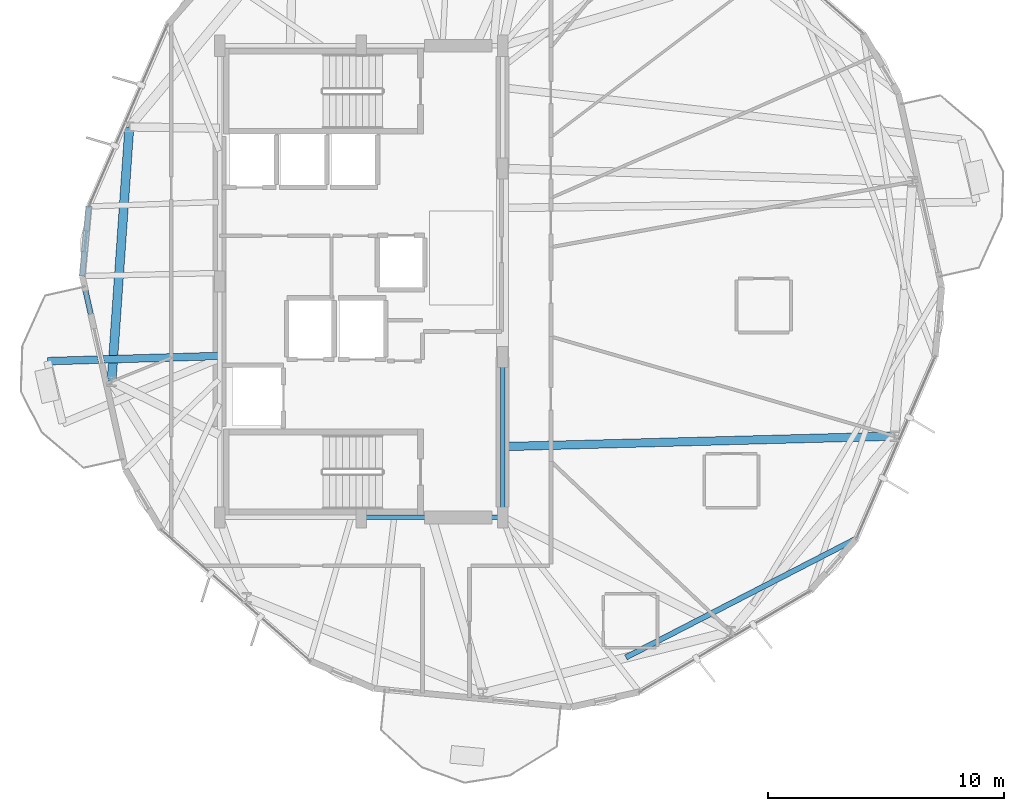
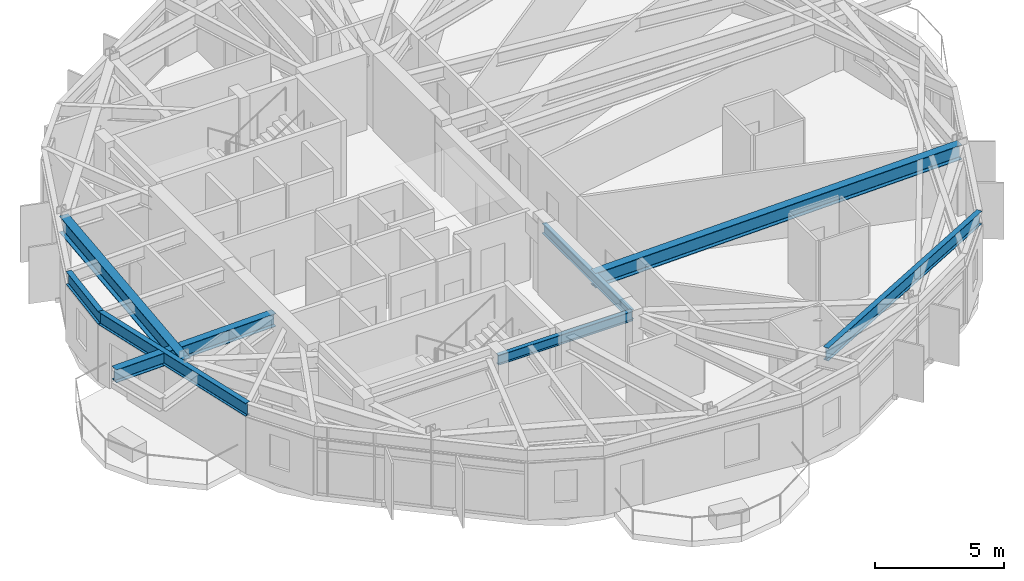
# One storey, part 5 of 21: 8 beams.
"""IFC4 building model written with IfcOpenShell, lengths in metres."""

import ifcopenshell
import ifcopenshell.guid

model = None  # the IFC model being written
_history = None  # IfcOwnerHistory: only IFC2X3 demands one
_inside = {}  # id of a spatial element -> (the spatial element, [elements in it])
_under = {}  # id of a project, library or spatial element -> (it, [spatial elements below it])
_declared = {}  # id of a project -> (the project, [libraries it declares])
_typed = {}  # id of a type object -> (the type object, [elements of that type])
_made_of = {}  # id of a material, layer set ... -> (it, [elements and type objects made of it])


def new_model(schema):
    """Start an empty IFC model of exactly this schema.

    Asked for "IFC4X3", IfcOpenShell would pick the latest addendum, in which some entities
    have other attributes; the version numbers below select the first issue.
    IFC2X3 requires an IfcOwnerHistory on every rooted entity: one is made here for all.
    """
    global model, _history
    if schema == "IFC4X3":
        model = ifcopenshell.file(schema_version=(4, 3, 0, 0))
    else:
        model = ifcopenshell.file(schema=schema)
    _inside.clear()
    _under.clear()
    _declared.clear()
    _typed.clear()
    _made_of.clear()
    _history = None
    if model.schema == "IFC2X3":
        org = make("IfcOrganization", Name="unknown")
        user = make(
            "IfcPersonAndOrganization",
            ThePerson=make("IfcPerson", FamilyName="unknown"),
            TheOrganization=org,
        )
        app = make(
            "IfcApplication",
            ApplicationDeveloper=org,
            Version="unknown",
            ApplicationFullName="unknown",
            ApplicationIdentifier="unknown",
        )
        _history = make(
            "IfcOwnerHistory",
            OwningUser=user,
            OwningApplication=app,
            ChangeAction="ADDED",
            CreationDate=0,
        )
    return model


def make(cls, **values):
    """One entity of the class cls with the attributes given. An attribute that is None is left unset."""
    return model.create_entity(
        cls, **{name: value for name, value in values.items() if value is not None}
    )


def rooted(cls, **values):
    """An entity with a GlobalId (a new one), such as an element, a storey or a relation."""
    return make(cls, GlobalId=ifcopenshell.guid.new(), OwnerHistory=_history, **values)


def si_unit(unit_type, name, prefix=None):
    """IfcSIUnit, for example si_unit("LENGTHUNIT", "METRE", prefix="MILLI")."""
    return make("IfcSIUnit", UnitType=unit_type, Prefix=prefix, Name=name)


def assignment(units):
    """IfcUnitAssignment: the units of a project."""
    return None if units is None else make("IfcUnitAssignment", Units=units)


def point(xyz):
    """IfcCartesianPoint."""
    return None if xyz is None else make("IfcCartesianPoint", Coordinates=xyz)


def direction(xyz):
    """IfcDirection."""
    return None if xyz is None else make("IfcDirection", DirectionRatios=xyz)


def frame(location, z_axis=None, x_axis=None):
    """IfcAxis2Placement3D, a coordinate frame: its origin and axes. An axis left out is left unset."""
    return make(
        "IfcAxis2Placement3D",
        Location=point(location),
        Axis=direction(z_axis),
        RefDirection=direction(x_axis),
    )


def frame_2d(location, x_axis=None):
    """IfcAxis2Placement2D, a coordinate frame in the plane: its origin and x axis."""
    return make(
        "IfcAxis2Placement2D", Location=point(location), RefDirection=direction(x_axis)
    )


def origin():
    """The frame at (0, 0, 0) with its axes left unset."""
    return frame((0.0, 0.0, 0.0))


def origin_2d():
    """The frame at (0, 0) in the plane with its x axis left unset."""
    return frame_2d((0.0, 0.0))


def place(relative_to, where):
    """IfcLocalPlacement: puts the frame where relative to a parent placement (None: the world)."""
    return make(
        "IfcLocalPlacement", PlacementRelTo=relative_to, RelativePlacement=where
    )


def context(
    kind, dimensions, precision=None, world=None, true_north=None, identifier=None
):
    """IfcGeometricRepresentationContext, for example the 3D "Model" context."""
    return make(
        "IfcGeometricRepresentationContext",
        ContextIdentifier=identifier,
        ContextType=kind,
        CoordinateSpaceDimension=dimensions,
        Precision=precision,
        WorldCoordinateSystem=world,
        TrueNorth=true_north,
    )


def subcontext(parent, identifier, kind, view, scale=None):
    """IfcGeometricRepresentationSubContext, for example "Body" below "Model"."""
    return make(
        "IfcGeometricRepresentationSubContext",
        ContextIdentifier=identifier,
        ContextType=kind,
        ParentContext=parent,
        TargetScale=scale,
        TargetView=view,
    )


def project(units=None, contexts=None):
    """IfcProject with its units and contexts."""
    return rooted(
        "IfcProject",
        Name="project",
        RepresentationContexts=contexts,
        UnitsInContext=assignment(units),
    )


def spatial(cls, under=None, at=None, **own):
    """A site, building, storey or space (cls), placed at a placement, below another one or the project."""
    s = rooted(cls, ObjectPlacement=at, **own)
    if under is not None:
        _under.setdefault(under.id(), (under, []))[1].append(s)
    return s


def profile(cls, at=None, kind="AREA", **sizes):
    """A parametric profile (cls). Its sizes go by their IFC names, for example OverallWidth=200.0."""
    return make(cls, ProfileType=kind, Position=at, **sizes)


def i_section(**sizes):
    """IfcIShapeProfileDef."""
    return profile("IfcIShapeProfileDef", **sizes)


def extrude(swept, where, along, depth):
    """IfcExtrudedAreaSolid: the profile swept, set in the frame where, extruded along a direction by depth."""
    return make(
        "IfcExtrudedAreaSolid",
        SweptArea=swept,
        Position=where,
        ExtrudedDirection=direction(along),
        Depth=depth,
    )


def shape(context_of_items, identifier, shape_type, items):
    """IfcShapeRepresentation: the items that make up one representation, for example the "Body"."""
    return make(
        "IfcShapeRepresentation",
        ContextOfItems=context_of_items,
        RepresentationIdentifier=identifier,
        RepresentationType=shape_type,
        Items=items,
    )


def material(Name=None, Category=None):
    """IfcMaterial."""
    return make("IfcMaterial", Name=Name, Category=Category)


def material_profile(
    of_material, cross_section, Name=None, Category=None, Priority=None
):
    """IfcMaterialProfile: a cross section and its material."""
    return make(
        "IfcMaterialProfile",
        Name=Name,
        Material=of_material,
        Profile=cross_section,
        Priority=Priority,
        Category=Category,
    )


def profile_set(profiles, Name=None, composite=None):
    """IfcMaterialProfileSet."""
    return make(
        "IfcMaterialProfileSet",
        Name=Name,
        MaterialProfiles=profiles,
        CompositeProfile=composite,
    )


def made_of(thing, what):
    """Note that an element or type object is made of a material, layer set ...; save() writes the relation."""
    if what is not None:
        _made_of.setdefault(what.id(), (what, []))[1].append(thing)
    return thing


def type_object(cls, material=None, **own):
    """A type object (cls), such as IfcWallType, which elements share."""
    return made_of(rooted(cls, **own), material)


def element(
    cls,
    number,
    at=None,
    inside=None,
    cuts=None,
    type_object=None,
    material=None,
    context=None,
    identifier="Body",
    shape_type=None,
    held_by="IfcProductDefinitionShape",
    body=None,
    shapes=None,
    **own,
):
    """One element of the class cls, such as IfcWall. Its Tag is "e" and its number.

    at: its placement. inside: the storey or other place that contains it. cuts: it is an
    opening in that element (IfcRelVoidsElement). A single representation is given by context,
    identifier, shape_type and body (its items); several are given by shapes. held_by: the class
    of the entity that holds the representations. save() writes the other relations.
    """
    e = rooted(cls, Tag="e%d" % number, ObjectPlacement=at, **own)
    if body is not None:
        shapes = [shape(context, identifier, shape_type, body)]
    if shapes is not None:
        e.Representation = make(held_by, Representations=shapes)
    if inside is not None:
        _inside.setdefault(inside.id(), (inside, []))[1].append(e)
    if cuts is not None:
        rooted(
            "IfcRelVoidsElement", RelatingBuildingElement=cuts, RelatedOpeningElement=e
        )
    if type_object is not None:
        _typed.setdefault(type_object.id(), (type_object, []))[1].append(e)
    return made_of(e, material)


def aggregate(whole, parts):
    """IfcRelAggregates: a whole, such as a stair, and the parts it consists of."""
    return rooted("IfcRelAggregates", RelatingObject=whole, RelatedObjects=parts)


def save(model, path):
    """Write the relations noted so far, then the file.

    IfcRelAggregates (storeys below a building ...), IfcRelContainedInSpatialStructure (elements
    in a storey), IfcRelDefinesByType, IfcRelAssociatesMaterial and IfcRelDeclares: one each for
    every whole, place, type object, material and project.
    """
    for whole, parts in _under.values():
        aggregate(whole, parts)
    for where, things in _inside.values():
        rooted(
            "IfcRelContainedInSpatialStructure",
            RelatedElements=things,
            RelatingStructure=where,
        )
    for kind, things in _typed.values():
        rooted("IfcRelDefinesByType", RelatedObjects=things, RelatingType=kind)
    for what, things in _made_of.values():
        rooted("IfcRelAssociatesMaterial", RelatedObjects=things, RelatingMaterial=what)
    for by, libraries in _declared.values():
        rooted("IfcRelDeclares", RelatingContext=by, RelatedDefinitions=libraries)
    model.write(path)


model = new_model("IFC4")

# Units and contexts
model_context = context("Model", 3, precision=1e-05, world=origin(), true_north=direction((0.0, 1.0)))
body_context = subcontext(model_context, "Body", "Model", "MODEL_VIEW")
ifc_project = project(units=[si_unit("LENGTHUNIT", "METRE"), si_unit("AREAUNIT", "SQUARE_METRE"), si_unit("VOLUMEUNIT", "CUBIC_METRE"), si_unit("PLANEANGLEUNIT", "RADIAN"), si_unit("MASSUNIT", "GRAM", prefix="KILO")], contexts=[model_context])

# Site, building, storey
site_placement = place(None, origin())
site = spatial("IfcSite", under=ifc_project, at=site_placement, CompositionType="ELEMENT")
building_placement = place(site_placement, origin())
building = spatial("IfcBuilding", under=site, at=building_placement, Name="Soratama Intermodal Tower", CompositionType="ELEMENT")
storey_placement = place(building_placement, frame((0.0, 0.0, 146.199951171875)))
storey = spatial("IfcBuildingStorey", under=building, at=storey_placement, Name="L35", CompositionType="ELEMENT", Elevation=146.199951171875)

# Beams
ifc_material_1 = material(Name="Structural steel ASTM A992 Grade 50", Category="steel")
ifc_material_profile_1 = material_profile(ifc_material_1, i_section(OverallWidth=0.324951171875, OverallDepth=0.615966796875, WebThickness=0.013916015625, FlangeThickness=0.021484375, FilletRadius=0.013916015625, at=origin_2d()), Name="W24X117")
ifc_profile_set_1 = profile_set([ifc_material_profile_1], Name="Structural steel ASTM A992 Grade 50")
beam_type_1 = type_object("IfcBeamType", Name="BM-CANT-W24X117", PredefinedType="BEAM", material=ifc_profile_set_1)
beam_1_placement = place(storey_placement, frame((32.56005859375, 21.843017578125, 2.991943359375), z_axis=(-0.999544996563, -0.030162888542, 0.0), x_axis=(0.030162888542, -0.999544996563, 0.0)))
element("IfcBeam", 1, at=beam_1_placement, inside=storey, type_object=beam_type_1, Name="BM-L35-CANT-3-1", PredefinedType="BEAM", context=body_context, shape_type="SweptSolid", body=[
    extrude(i_section(OverallWidth=0.324951171875, OverallDepth=0.615966796875, WebThickness=0.013916015625, FlangeThickness=0.021484375, FilletRadius=0.013916015625, at=origin_2d()), origin(), (0.0, 0.0, 1.0), 7.260498046875),
])
ifc_material_2 = material(Name="Structural steel ASTM A992 Grade 50", Category="steel")
ifc_material_profile_2 = material_profile(ifc_material_2, i_section(OverallWidth=0.19091796875, OverallDepth=0.4599609375, WebThickness=0.010009765625, FlangeThickness=0.01611328125, FilletRadius=0.010986328125, at=origin_2d()), Name="W18X55")
ifc_profile_set_2 = profile_set([ifc_material_profile_2], Name="Structural steel ASTM A992 Grade 50")
beam_type_2 = type_object("IfcBeamType", Name="BM-FLR-W18X55", PredefinedType="BEAM", material=ifc_profile_set_2)
beam_2_placement = place(storey_placement, frame((38.60009765625, 15.0, 3.070068359375), z_axis=(1.0, 0.0, 0.0), x_axis=(0.0, 1.0, 0.0)))
element("IfcBeam", 2, at=beam_2_placement, inside=storey, type_object=beam_type_2, Name="BM-L35-CRING-02", PredefinedType="BEAM", context=body_context, shape_type="SweptSolid", body=[
    extrude(i_section(OverallWidth=0.19091796875, OverallDepth=0.4599609375, WebThickness=0.010009765625, FlangeThickness=0.01611328125, FilletRadius=0.010986328125, at=origin_2d()), origin(), (0.0, 0.0, 1.0), 6.0),
])
beam_3_placement = place(storey_placement, frame((44.60009765625, 15.0, 3.070068359375), z_axis=(0.0, 1.0, 0.0), x_axis=(-1.0, 0.0, 0.0)))
element("IfcBeam", 3, at=beam_3_placement, inside=storey, type_object=beam_type_2, Name="BM-L35-CRING-03", PredefinedType="BEAM", context=body_context, shape_type="SweptSolid", body=[
    extrude(i_section(OverallWidth=0.19091796875, OverallDepth=0.4599609375, WebThickness=0.010009765625, FlangeThickness=0.01611328125, FilletRadius=0.010986328125, at=origin_2d()), origin(), (0.0, 0.0, 1.0), 6.800048828125),
])
ifc_material_3 = material(Name="Structural steel ASTM A992 Grade 50", Category="steel")
ifc_material_profile_3 = material_profile(ifc_material_3, i_section(OverallWidth=0.35498046875, OverallDepth=0.695068359375, WebThickness=0.015380859375, FlangeThickness=0.02490234375, FilletRadius=0.01611328125, at=origin_2d()), Name="W27X146")
ifc_profile_set_3 = profile_set([ifc_material_profile_3], Name="Structural steel ASTM A992 Grade 50")
beam_type_3 = type_object("IfcBeamType", Name="BM-RING-W27X146", PredefinedType="BEAM", material=ifc_profile_set_3)
beam_4_placement = place(storey_placement, frame((44.60009765625, 18.0, 2.95263671875), z_axis=(0.999643459503, 0.026701196077, 0.0), x_axis=(-0.026701196077, 0.999643459503, 0.0)))
element("IfcBeam", 4, at=beam_4_placement, inside=storey, type_object=beam_type_3, Name="BM-L35-RAD-10", PredefinedType="BEAM", context=body_context, shape_type="SweptSolid", body=[
    extrude(i_section(OverallWidth=0.35498046875, OverallDepth=0.695068359375, WebThickness=0.015380859375, FlangeThickness=0.02490234375, FilletRadius=0.01611328125, at=origin_2d()), origin(), (0.0, 0.0, 1.0), 16.6318359375),
])
ifc_material_4 = material(Name="Structural steel ASTM A992 Grade 50", Category="steel")
ifc_material_profile_4 = material_profile(ifc_material_4, i_section(OverallWidth=0.382080078125, OverallDepth=0.779052734375, WebThickness=0.01806640625, FlangeThickness=0.030029296875, FilletRadius=0.01806640625, at=origin_2d()), Name="W30X191")
ifc_profile_set_4 = profile_set([ifc_material_profile_4], Name="Structural steel ASTM A992 Grade 50")
beam_type_4 = type_object("IfcBeamType", Name="BM-RING-W30X191", PredefinedType="BEAM", material=ifc_profile_set_4)
beam_5_placement = place(storey_placement, frame((28.77392578125, 31.555908203125, 2.91064453125), z_axis=(-0.069702217409, -0.99756784275, 0.0), x_axis=(0.99756784275, -0.069702217409, 0.0)))
element("IfcBeam", 5, at=beam_5_placement, inside=storey, type_object=beam_type_4, Name="BM-L35-RING-05", PredefinedType="BEAM", context=body_context, shape_type="SweptSolid", body=[
    extrude(i_section(OverallWidth=0.382080078125, OverallDepth=0.779052734375, WebThickness=0.01806640625, FlangeThickness=0.030029296875, FilletRadius=0.01806640625, at=origin_2d()), origin(), (0.0, 0.0, 1.0), 10.816162109375),
])
ifc_material_5 = material(Name="Structural steel ASTM A992 Grade 50", Category="steel")
ifc_material_profile_5 = material_profile(ifc_material_5, i_section(OverallWidth=0.22900390625, OverallDepth=0.612060546875, WebThickness=0.011962890625, FlangeThickness=0.01953125, FilletRadius=0.012939453125, at=origin_2d()), Name="W24X84")
ifc_profile_set_5 = profile_set([ifc_material_profile_5], Name="Structural steel ASTM A992 Grade 50")
beam_type_5 = type_object("IfcBeamType", Name="BM-SPN-W24X84", PredefinedType="SPANDREL", material=ifc_profile_set_5)
beam_6_placement = place(storey_placement, frame((27.055908203125, 28.18603515625, 2.994140625), z_axis=(-0.094401269855, -0.995534228568, 0.0), x_axis=(0.995534228568, -0.094401269855, 0.0)))
element("IfcBeam", 6, at=beam_6_placement, inside=storey, type_object=beam_type_5, Name="BS-L35-CRN04", PredefinedType="SPANDREL", context=body_context, shape_type="SweptSolid", body=[
    extrude(i_section(OverallWidth=0.22900390625, OverallDepth=0.612060546875, WebThickness=0.011962890625, FlangeThickness=0.01953125, FilletRadius=0.012939453125, at=origin_2d()), origin(), (0.0, 0.0, 1.0), 2.96630859375),
])
beam_7_placement = place(storey_placement, frame((26.77587890625, 25.23291015625, 2.994140625), z_axis=(0.218218864018, -0.975899855204, 0.0), x_axis=(0.975899855204, 0.218218864018, 0.0)))
element("IfcBeam", 7, at=beam_7_placement, inside=storey, type_object=beam_type_5, Name="BS-L35-F05", PredefinedType="SPANDREL", context=body_context, shape_type="SweptSolid", body=[
    extrude(i_section(OverallWidth=0.22900390625, OverallDepth=0.612060546875, WebThickness=0.011962890625, FlangeThickness=0.01953125, FilletRadius=0.012939453125, at=origin_2d()), origin(), (0.0, 0.0, 1.0), 8.405517578125),
])
ifc_material_6 = material(Name="Structural steel ASTM A992 Grade 50", Category="steel")
ifc_material_profile_6 = material_profile(ifc_material_6, i_section(OverallWidth=0.22900390625, OverallDepth=0.612060546875, WebThickness=0.011962890625, FlangeThickness=0.01953125, FilletRadius=0.012939453125, at=origin_2d()), Name="W24X84")
ifc_profile_set_6 = profile_set([ifc_material_profile_6], Name="Structural steel ASTM A992 Grade 50")
beam_type_6 = type_object("IfcBeamType", Name="BM-TIE-W24X84", PredefinedType="BEAM", material=ifc_profile_set_6)
beam_8_placement = place(storey_placement, frame((49.8291015625, 9.06005859375, 2.994140625), z_axis=(0.888845825381, 0.458206393127, 0.0), x_axis=(-0.458206393127, 0.888845825381, 0.0)))
element("IfcBeam", 8, at=beam_8_placement, inside=storey, type_object=beam_type_6, Name="BM-L35-TIE0-09", PredefinedType="BEAM", context=body_context, shape_type="SweptSolid", body=[
    extrude(i_section(OverallWidth=0.22900390625, OverallDepth=0.612060546875, WebThickness=0.011962890625, FlangeThickness=0.01953125, FilletRadius=0.012939453125, at=origin_2d()), origin(), (0.0, 0.0, 1.0), 10.99951171875),
])

save(model, "model.ifc")
